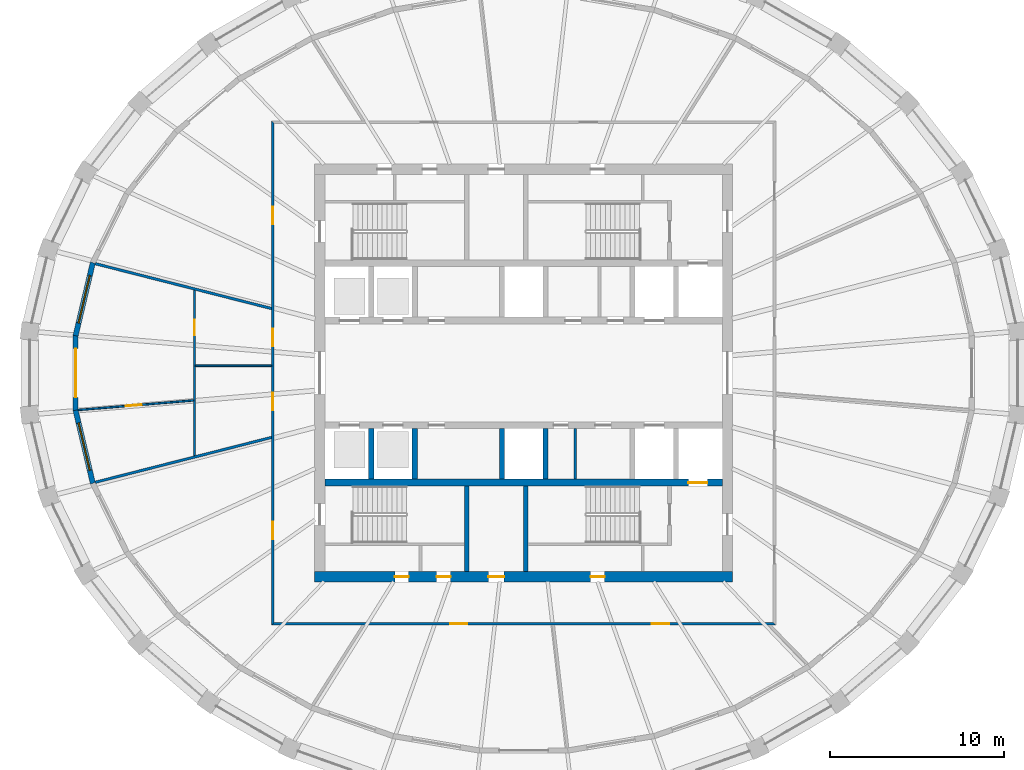
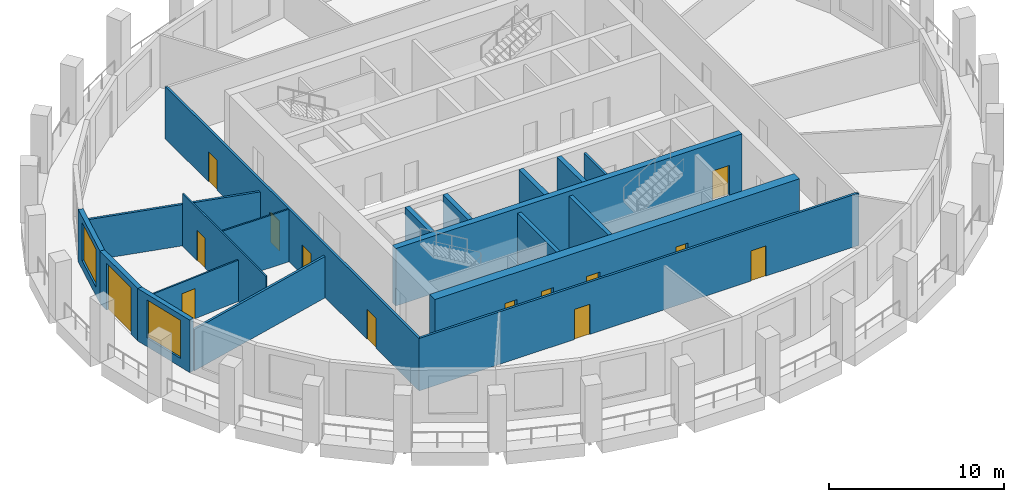
# One storey, part 3 of 10: 19 walls, 14 doors, 2 windows, 16 openings.
"""IFC4 building model written with IfcOpenShell, lengths in metres."""

from ifc_helpers import new_model, si_unit, direction, frame, frame_2d, origin, place, context, subcontext, project, spatial, polyline, rectangle, outline, extrude, material, layer, layer_set, type_object, element, fill, save


model = new_model("IFC4")

# Units and contexts
model_context = context("Model", 3, precision=1e-05, world=origin(), true_north=direction((0.0, 1.0)))
body_context = subcontext(model_context, "Body", "Model", "MODEL_VIEW")
ifc_project = project(units=[si_unit("LENGTHUNIT", "METRE"), si_unit("AREAUNIT", "SQUARE_METRE"), si_unit("VOLUMEUNIT", "CUBIC_METRE"), si_unit("PLANEANGLEUNIT", "RADIAN"), si_unit("MASSUNIT", "GRAM", prefix="KILO")], contexts=[model_context])

# Site, building, storey
site_placement = place(None, origin())
site = spatial("IfcSite", under=ifc_project, at=site_placement, CompositionType="ELEMENT")
building_placement = place(site_placement, origin())
building = spatial("IfcBuilding", under=site, at=building_placement, Name="Halqa Exchange Tower", CompositionType="ELEMENT")
storey_placement = place(building_placement, frame((0.0, 0.0, 324.300048828125)))
storey = spatial("IfcBuildingStorey", under=building, at=storey_placement, Name="L76", CompositionType="ELEMENT", Elevation=324.300048828125)

# Walls
ifc_material_1 = material(Name="Fire-rated gypsum board")
ifc_layer_1 = layer(ifc_material_1, 0.14990234375)
ifc_layer_set_1 = layer_set([ifc_layer_1], Name="Fire-rated gypsum board")
wall_type_1 = type_object("IfcWallType", Name="Fire partition EI 60 150", PredefinedType="PARTITIONING", material=ifc_layer_set_1)
wall_1_placement = place(storey_placement, frame((-24.5927734375, -6.274658203125, 0.0), z_axis=(0.0, 0.0, 1.0), x_axis=(0.969091390687, 0.246701999378, 0.0)))
element("IfcWall", 1, at=wall_1_placement, inside=storey, type_object=wall_type_1, Name="L76-PWL-001", PredefinedType="PARTITIONING", context=body_context, shape_type="SweptSolid", body=[
    extrude(outline(polyline([(0.013427734375, -0.074951171875), (1.748291015625, -0.074951171875), (3.48291015625, -0.074951171875), (5.217529296875, -0.074951171875), (6.9521484375, -0.074951171875), (8.686767578125, -0.074951171875), (10.42138671875, -0.074951171875), (10.459228515625, 0.07373046875), (10.459228515625, 0.074951171875), (8.95458984375, 0.074951171875), (7.44970703125, 0.074951171875), (5.945068359375, 0.074951171875), (5.944580078125, 0.072998046875), (5.9365234375, 0.074951171875), (3.95751953125, 0.074951171875), (1.978759765625, 0.074951171875), (0.0, 0.074951171875), (0.0, -0.010986328125), (0.013427734375, -0.074951171875)])), origin(), (0.0, 0.0, 1.0), 2.8798828125),
])
wall_2_placement = place(storey_placement, frame((-24.5927734375, 6.274658203125, 0.0), z_axis=(0.0, 0.0, 1.0), x_axis=(0.969091390687, -0.246701999378, 0.0)))
element("IfcWall", 2, at=wall_2_placement, inside=storey, type_object=wall_type_1, Name="L76-PWL-002", PredefinedType="PARTITIONING", context=body_context, shape_type="SweptSolid", body=[
    extrude(outline(polyline([(0.0, -0.074951171875), (1.978759765625, -0.074951171875), (3.95751953125, -0.074951171875), (5.9365234375, -0.074951171875), (5.944580078125, -0.072998046875), (5.945068359375, -0.074951171875), (7.44970703125, -0.074951171875), (8.95458984375, -0.074951171875), (10.459228515625, -0.074951171875), (10.459228515625, -0.07373046875), (10.42138671875, 0.074951171875), (8.686767578125, 0.074951171875), (6.9521484375, 0.074951171875), (5.217529296875, 0.074951171875), (3.48291015625, 0.074951171875), (1.748291015625, 0.074951171875), (0.013427734375, 0.074951171875), (0.0, 0.010986328125), (0.0, -0.074951171875)])), origin(), (0.0, 0.0, 1.0), 2.8798828125),
])

# Wall, openings, doors
wall_3_placement = place(storey_placement, frame((-14.39990234375, -14.47509765625, 0.0), z_axis=(0.0, 0.0, 1.0), x_axis=(0.0, 1.0, 0.0)))
wall_3 = element("IfcWall", 3, at=wall_3_placement, inside=storey, type_object=wall_type_1, Name="L76-PWL-006", PredefinedType="PARTITIONING", context=body_context, shape_type="SweptSolid", body=[
    extrude(outline(polyline([(0.150146484375, -0.074951171875), (2.06005859375, -0.074951171875), (3.97021484375, -0.074951171875), (5.880126953125, -0.074951171875), (7.7900390625, -0.074951171875), (9.7001953125, -0.074951171875), (11.610107421875, -0.074951171875), (13.52001953125, -0.074951171875), (15.43017578125, -0.074951171875), (17.340087890625, -0.074951171875), (19.25, -0.074951171875), (21.16015625, -0.074951171875), (23.070068359375, -0.074951171875), (24.97998046875, -0.074951171875), (26.89013671875, -0.074951171875), (28.800048828125, -0.074951171875), (28.949951171875, 0.074951171875), (27.02001953125, 0.074951171875), (25.090087890625, 0.074951171875), (23.159912109375, 0.074951171875), (21.22998046875, 0.074951171875), (19.300048828125, 0.074951171875), (17.3701171875, 0.074951171875), (15.440185546875, 0.074951171875), (13.510009765625, 0.074951171875), (11.580078125, 0.074951171875), (9.650146484375, 0.074951171875), (7.72021484375, 0.074951171875), (5.790283203125, 0.074951171875), (3.860107421875, 0.074951171875), (1.93017578125, 0.074951171875), (0.000244140625, 0.074951171875), (0.150146484375, -0.074951171875)])), origin(), (0.0, 0.0, 1.0), 3.64990234375),
])
opening_1_placement = place(wall_3_placement, frame((23.014892578125, 0.0, 0.0)))
opening_1 = element("IfcOpeningElement", 4, at=opening_1_placement, cuts=wall_3, Name="Opening 23-04", PredefinedType="OPENING", context=body_context, shape_type="SweptSolid", body=[
    extrude(rectangle(XDim=1.0, YDim=2.10009765625, at=frame_2d((0.5, 1.050048828125))), frame((0.0, 0.0869140625, 0.0), z_axis=(0.0, -1.0, 0.0), x_axis=(1.0, 0.0, 0.0)), (0.0, 0.0, 1.0), 0.173828125),
])
opening_2_placement = place(wall_3_placement, frame((12.340087890625, 0.0, 0.0)))
opening_2 = element("IfcOpeningElement", 5, at=opening_2_placement, cuts=wall_3, Name="Opening 23-05", PredefinedType="OPENING", context=body_context, shape_type="SweptSolid", body=[
    extrude(rectangle(XDim=1.0, YDim=2.10009765625, at=frame_2d((0.5, 1.050048828125))), frame((0.0, 0.0869140625, 0.0), z_axis=(0.0, -1.0, 0.0), x_axis=(1.0, 0.0, 0.0)), (0.0, 0.0, 1.0), 0.173828125),
])
opening_3_placement = place(wall_3_placement, frame((16.02001953125, 0.0, 0.0)))
opening_3 = element("IfcOpeningElement", 6, at=opening_3_placement, cuts=wall_3, Name="Opening 23-06", PredefinedType="OPENING", context=body_context, shape_type="SweptSolid", body=[
    extrude(rectangle(XDim=1.0, YDim=2.10009765625, at=frame_2d((0.5, 1.050048828125))), frame((0.0, 0.0869140625, 0.0), z_axis=(0.0, -1.0, 0.0), x_axis=(1.0, 0.0, 0.0)), (0.0, 0.0, 1.0), 0.173828125),
])
opening_4_placement = place(wall_3_placement, frame((4.93505859375, 0.0, 0.0)))
opening_4 = element("IfcOpeningElement", 7, at=opening_4_placement, cuts=wall_3, Name="Opening 23-07", PredefinedType="OPENING", context=body_context, shape_type="SweptSolid", body=[
    extrude(rectangle(XDim=1.0, YDim=2.10009765625, at=frame_2d((0.5, 1.050048828125))), frame((0.0, 0.0869140625, 0.0), z_axis=(0.0, -1.0, 0.0), x_axis=(1.0, 0.0, 0.0)), (0.0, 0.0, 1.0), 0.173828125),
])
ifc_material_2 = material(Name="Steel fire door leaf", Category="steel")
door_type_1 = type_object("IfcDoorType", Name="Fire door FD30S 1000 x 2100", OperationType="SINGLE_SWING_LEFT", PredefinedType="DOOR", material=ifc_material_2)
door_1_placement = place(opening_1_placement, origin())
door_1 = element("IfcDoor", 8, at=door_1_placement, inside=storey, type_object=door_type_1, Name="L76-IDR-004", OperationType="SINGLE_SWING_LEFT", OverallHeight=2.10009765625, OverallWidth=1.0, PredefinedType="DOOR", context=body_context, shape_type="SweptSolid", body=[
    extrude(rectangle(XDim=1.0, YDim=2.10009765625, at=frame_2d((0.5, 1.050048828125))), frame((0.0, 0.02490234375, 0.0), z_axis=(0.0, -1.0, 0.0), x_axis=(1.0, 0.0, 0.0)), (0.0, 0.0, 1.0), 0.050048828125),
])
fill(opening_1, door_1)
door_2_placement = place(opening_2_placement, origin())
door_2 = element("IfcDoor", 9, at=door_2_placement, inside=storey, type_object=door_type_1, Name="L76-IDR-005", OperationType="SINGLE_SWING_LEFT", OverallHeight=2.10009765625, OverallWidth=1.0, PredefinedType="DOOR", context=body_context, shape_type="SweptSolid", body=[
    extrude(rectangle(XDim=1.0, YDim=2.10009765625, at=frame_2d((0.5, 1.050048828125))), frame((0.0, 0.02490234375, 0.0), z_axis=(0.0, -1.0, 0.0), x_axis=(1.0, 0.0, 0.0)), (0.0, 0.0, 1.0), 0.050048828125),
])
fill(opening_2, door_2)
door_3_placement = place(opening_3_placement, origin())
door_3 = element("IfcDoor", 10, at=door_3_placement, inside=storey, type_object=door_type_1, Name="L76-IDR-006", OperationType="SINGLE_SWING_LEFT", OverallHeight=2.10009765625, OverallWidth=1.0, PredefinedType="DOOR", context=body_context, shape_type="SweptSolid", body=[
    extrude(rectangle(XDim=1.0, YDim=2.10009765625, at=frame_2d((0.5, 1.050048828125))), frame((0.0, 0.02490234375, 0.0), z_axis=(0.0, -1.0, 0.0), x_axis=(1.0, 0.0, 0.0)), (0.0, 0.0, 1.0), 0.050048828125),
])
fill(opening_3, door_3)
door_4_placement = place(opening_4_placement, origin())
door_4 = element("IfcDoor", 11, at=door_4_placement, inside=storey, type_object=door_type_1, Name="L76-IDR-007", OperationType="SINGLE_SWING_LEFT", OverallHeight=2.10009765625, OverallWidth=1.0, PredefinedType="DOOR", context=body_context, shape_type="SweptSolid", body=[
    extrude(rectangle(XDim=1.0, YDim=2.10009765625, at=frame_2d((0.5, 1.050048828125))), frame((0.0, 0.02490234375, 0.0), z_axis=(0.0, -1.0, 0.0), x_axis=(1.0, 0.0, 0.0)), (0.0, 0.0, 1.0), 0.050048828125),
])
fill(opening_4, door_4)

wall_4_placement = place(storey_placement, frame((-14.47509765625, -14.39990234375, 0.0), z_axis=(0.0, 0.0, 1.0), x_axis=(1.0, 0.0, 0.0)))
wall_4 = element("IfcWall", 12, at=wall_4_placement, inside=storey, type_object=wall_type_1, Name="L76-PWL-007", PredefinedType="PARTITIONING", context=body_context, shape_type="SweptSolid", body=[
    extrude(outline(polyline([(0.000244140625, -0.074951171875), (1.93017578125, -0.074951171875), (3.860107421875, -0.074951171875), (5.790283203125, -0.074951171875), (7.72021484375, -0.074951171875), (9.650146484375, -0.074951171875), (11.580078125, -0.074951171875), (13.510009765625, -0.074951171875), (15.440185546875, -0.074951171875), (17.3701171875, -0.074951171875), (19.300048828125, -0.074951171875), (21.22998046875, -0.074951171875), (23.159912109375, -0.074951171875), (25.090087890625, -0.074951171875), (27.02001953125, -0.074951171875), (28.949951171875, -0.074951171875), (28.800048828125, 0.074951171875), (26.89013671875, 0.074951171875), (24.97998046875, 0.074951171875), (23.070068359375, 0.074951171875), (21.16015625, 0.074951171875), (19.25, 0.074951171875), (17.340087890625, 0.074951171875), (15.43017578125, 0.074951171875), (13.52001953125, 0.074951171875), (11.610107421875, 0.074951171875), (9.7001953125, 0.074951171875), (7.7900390625, 0.074951171875), (5.880126953125, 0.074951171875), (3.97021484375, 0.074951171875), (2.06005859375, 0.074951171875), (0.150146484375, 0.074951171875), (0.000244140625, -0.074951171875)])), origin(), (0.0, 0.0, 1.0), 3.64990234375),
])
opening_5_placement = place(wall_4_placement, frame((10.2451171875, 0.0, 0.0)))
opening_5 = element("IfcOpeningElement", 13, at=opening_5_placement, cuts=wall_4, Name="Opening 23-08", PredefinedType="OPENING", context=body_context, shape_type="SweptSolid", body=[
    extrude(rectangle(XDim=1.0, YDim=2.10009765625, at=frame_2d((0.5, 1.050048828125))), frame((0.0, 0.0869140625, 0.0), z_axis=(0.0, -1.0, 0.0), x_axis=(1.0, 0.0, 0.0)), (0.0, 0.0, 1.0), 0.173828125),
])
opening_6_placement = place(wall_4_placement, frame((21.840087890625, 0.0, 0.0)))
opening_6 = element("IfcOpeningElement", 14, at=opening_6_placement, cuts=wall_4, Name="Opening 23-09", PredefinedType="OPENING", context=body_context, shape_type="SweptSolid", body=[
    extrude(rectangle(XDim=1.0, YDim=2.10009765625, at=frame_2d((0.5, 1.050048828125))), frame((0.0, 0.0869140625, 0.0), z_axis=(0.0, -1.0, 0.0), x_axis=(1.0, 0.0, 0.0)), (0.0, 0.0, 1.0), 0.173828125),
])
door_5_placement = place(opening_5_placement, frame((1.0, 0.0, 0.0), z_axis=(0.0, 0.0, 1.0), x_axis=(-1.0, 0.0, 0.0)))
door_5 = element("IfcDoor", 15, at=door_5_placement, inside=storey, type_object=door_type_1, Name="L76-IDR-008", OperationType="SINGLE_SWING_LEFT", OverallHeight=2.10009765625, OverallWidth=1.0, PredefinedType="DOOR", context=body_context, shape_type="SweptSolid", body=[
    extrude(rectangle(XDim=1.0, YDim=2.10009765625, at=frame_2d((0.5, 1.050048828125))), frame((0.0, 0.02490234375, 0.0), z_axis=(0.0, -1.0, 0.0), x_axis=(1.0, 0.0, 0.0)), (0.0, 0.0, 1.0), 0.050048828125),
])
fill(opening_5, door_5)
door_6_placement = place(opening_6_placement, frame((1.0, 0.0, 0.0), z_axis=(0.0, 0.0, 1.0), x_axis=(-1.0, 0.0, 0.0)))
door_6 = element("IfcDoor", 16, at=door_6_placement, inside=storey, type_object=door_type_1, Name="L76-IDR-009", OperationType="SINGLE_SWING_LEFT", OverallHeight=2.10009765625, OverallWidth=1.0, PredefinedType="DOOR", context=body_context, shape_type="SweptSolid", body=[
    extrude(rectangle(XDim=1.0, YDim=2.10009765625, at=frame_2d((0.5, 1.050048828125))), frame((0.0, 0.02490234375, 0.0), z_axis=(0.0, -1.0, 0.0), x_axis=(1.0, 0.0, 0.0)), (0.0, 0.0, 1.0), 0.050048828125),
])
fill(opening_6, door_6)

# Wall, opening, door
ifc_material_3 = material(Name="Gypsum board")
ifc_layer_2 = layer(ifc_material_3, 0.10009765625)
ifc_layer_set_2 = layer_set([ifc_layer_2], Name="Gypsum board")
wall_type_2 = type_object("IfcWallType", Name="Partition 100 gypsum", PredefinedType="PARTITIONING", material=ifc_layer_set_2)
wall_5_placement = place(storey_placement, frame((-18.89990234375, -4.760498046875, 0.0), z_axis=(0.0, 0.0, 1.0), x_axis=(0.0, 1.0, 0.0)))
wall_5 = element("IfcWall", 17, at=wall_5_placement, inside=storey, type_object=wall_type_2, Name="L76-PWL-003", PredefinedType="PARTITIONING", context=body_context, shape_type="SweptSolid", body=[
    extrude(outline(polyline([(0.025146484375, -0.050048828125), (1.7236328125, -0.050048828125), (3.422119140625, -0.050048828125), (5.12060546875, -0.050048828125), (5.12060546875, -0.0498046875), (5.220458984375, -0.0498046875), (5.220458984375, -0.050048828125), (6.6455078125, -0.050048828125), (8.07080078125, -0.050048828125), (9.495849609375, -0.050048828125), (9.52099609375, 0.048828125), (9.52099609375, 0.050048828125), (7.61669921875, 0.050048828125), (5.712646484375, 0.050048828125), (3.808349609375, 0.050048828125), (1.904296875, 0.050048828125), (0.0, 0.050048828125), (0.0, 0.048828125), (0.025146484375, -0.050048828125)])), origin(), (0.0, 0.0, 1.0), 3.64990234375),
])
opening_7_placement = place(wall_5_placement, frame((6.930419921875, 0.0, 0.0)))
opening_7 = element("IfcOpeningElement", 18, at=opening_7_placement, cuts=wall_5, Name="Opening 23-13", PredefinedType="OPENING", context=body_context, shape_type="SweptSolid", body=[
    extrude(rectangle(XDim=0.89990234375, YDim=2.10009765625, at=frame_2d((0.449951171875, 1.050048828125))), frame((0.0, 0.06201171875, 0.0), z_axis=(0.0, -1.0, 0.0), x_axis=(1.0, 0.0, 0.0)), (0.0, 0.0, 1.0), 0.1240234375),
])
ifc_material_4 = material(Name="Timber door leaf", Category="wood")
door_type_2 = type_object("IfcDoorType", Name="Door 900 x 2100", OperationType="SINGLE_SWING_LEFT", PredefinedType="DOOR", material=ifc_material_4)
door_7_placement = place(opening_7_placement, frame((0.89990234375, 0.0, 0.0), z_axis=(0.0, 0.0, 1.0), x_axis=(-1.0, 0.0, 0.0)))
door_7 = element("IfcDoor", 19, at=door_7_placement, inside=storey, type_object=door_type_2, Name="L76-IDR-013", OperationType="SINGLE_SWING_RIGHT", OverallHeight=2.10009765625, OverallWidth=0.89990234375, PredefinedType="DOOR", context=body_context, shape_type="SweptSolid", body=[
    extrude(rectangle(XDim=0.89990234375, YDim=2.10009765625, at=frame_2d((0.449951171875, 1.050048828125))), frame((0.0, 0.02490234375, 0.0), z_axis=(0.0, -1.0, 0.0), x_axis=(1.0, 0.0, 0.0)), (0.0, 0.0, 1.0), 0.050048828125),
])
fill(opening_7, door_7)

wall_6_placement = place(storey_placement, frame((-18.9462890625, -1.573974609375, 0.0), z_axis=(0.0, 0.0, 1.0), x_axis=(-0.996565232205, -0.082811460317, 0.0)))
wall_6 = element("IfcWall", 20, at=wall_6_placement, inside=storey, type_object=wall_type_2, Name="L76-PWL-004", PredefinedType="PARTITIONING", context=body_context, shape_type="SweptSolid", body=[
    extrude(outline(polyline([(6.648193359375, -0.050048828125), (6.648193359375, 0.022705078125), (6.64404296875, 0.050048828125), (4.985107421875, 0.050048828125), (3.325927734375, 0.050048828125), (1.6669921875, 0.050048828125), (0.0078125, 0.050048828125), (0.0, -0.044921875), (0.0, -0.050048828125), (1.662109375, -0.050048828125), (3.32421875, -0.050048828125), (4.986083984375, -0.050048828125), (6.648193359375, -0.050048828125)])), origin(), (0.0, 0.0, 1.0), 2.8798828125),
])
opening_8_placement = place(wall_6_placement, frame((3.005615234375, 0.0, 0.0)))
opening_8 = element("IfcOpeningElement", 21, at=opening_8_placement, cuts=wall_6, Name="Opening 23-14", PredefinedType="OPENING", context=body_context, shape_type="SweptSolid", body=[
    extrude(rectangle(XDim=0.89990234375, YDim=2.10009765625, at=frame_2d((0.449951171875, 1.050048828125))), frame((0.0, 0.06201171875, 0.0), z_axis=(0.0, -1.0, 0.0), x_axis=(1.0, 0.0, 0.0)), (0.0, 0.0, 1.0), 0.1240234375),
])
door_8_placement = place(opening_8_placement, origin())
door_8 = element("IfcDoor", 22, at=door_8_placement, inside=storey, type_object=door_type_2, Name="L76-IDR-014", OperationType="SINGLE_SWING_LEFT", OverallHeight=2.10009765625, OverallWidth=0.89990234375, PredefinedType="DOOR", context=body_context, shape_type="SweptSolid", body=[
    extrude(rectangle(XDim=0.89990234375, YDim=2.10009765625, at=frame_2d((0.449951171875, 1.050048828125))), frame((0.0, 0.02490234375, 0.0), z_axis=(0.0, -1.0, 0.0), x_axis=(1.0, 0.0, 0.0)), (0.0, 0.0, 1.0), 0.050048828125),
])
fill(opening_8, door_8)

# Walls
wall_7_placement = place(storey_placement, frame((-18.85009765625, 0.409912109375, 0.0), z_axis=(0.0, 0.0, 1.0), x_axis=(1.0, 0.0, 0.0)))
element("IfcWall", 23, at=wall_7_placement, inside=storey, type_object=wall_type_2, Name="L76-PWL-005", PredefinedType="PARTITIONING", context=body_context, shape_type="SweptSolid", body=[
    extrude(rectangle(XDim=4.375, YDim=0.10009765625, at=frame_2d((2.1875, 0.0))), origin(), (0.0, 0.0, 1.0), 3.64990234375),
])
ifc_layer_3 = layer(ifc_material_3, 0.14990234375)
ifc_layer_set_3 = layer_set([ifc_layer_3], Name="Gypsum board")
wall_type_3 = type_object("IfcWallType", Name="Penthouse riser wall 150 gypsum", PredefinedType="PARTITIONING", material=ifc_layer_set_3)
wall_8_placement = place(storey_placement, frame((2.949951171875, -6.10009765625, 0.0), z_axis=(0.0, 0.0, 1.0), x_axis=(0.0, 1.0, 0.0)))
element("IfcWall", 24, at=wall_8_placement, inside=storey, type_object=wall_type_3, Name="Freed bay partition SE2.950", PredefinedType="PARTITIONING", context=body_context, shape_type="SweptSolid", body=[
    extrude(rectangle(XDim=2.900146484375, YDim=0.14990234375, at=frame_2d((1.4501953125, 0.0))), origin(), (0.0, 0.0, 1.0), 3.64990234375),
])
ifc_material_5 = material(Name="Concrete C60/75", Category="concrete")
ifc_layer_4 = layer(ifc_material_5, 0.300048828125)
ifc_layer_set_4 = layer_set([ifc_layer_4], Name="Concrete C60/75")
wall_type_4 = type_object("IfcWallType", Name="RC core wall 300", PredefinedType="SHEAR", material=ifc_layer_set_4)
for number, where, z_axis, x_axis, name in (
    (25, (-8.75, -6.10009765625, 0.0), (0.0, 0.0, 1.0), (0.0, 1.0, 0.0), "Shaft divider S1"),
    (26, (-6.25, -6.10009765625, 0.0), (0.0, 0.0, 1.0), (0.0, 1.0, 0.0), "Shaft divider S2"),
    (27, (-1.25, -6.10009765625, 0.0), (0.0, 0.0, 1.0), (0.0, 1.0, 0.0), "Shaft divider S4"),
    (28, (1.25, -6.10009765625, 0.0), (0.0, 0.0, 1.0), (0.0, 1.0, 0.0), "Shaft divider S5"),
):
    element("IfcWall", number, at=place(storey_placement, frame(where, z_axis=z_axis, x_axis=x_axis)), inside=storey, type_object=wall_type_4, Name=name, PredefinedType="SHEAR", context=body_context, shape_type="SweptSolid", body=[
        extrude(rectangle(XDim=2.900146484375, YDim=0.300048828125, at=frame_2d((1.4501953125, 0.0))), origin(), (0.0, 0.0, 1.0), 4.0),
    ])

# Wall, opening, door
ifc_layer_5 = layer(ifc_material_5, 0.39990234375)
ifc_layer_set_5 = layer_set([ifc_layer_5], Name="Concrete C60/75")
wall_type_5 = type_object("IfcWallType", Name="RC core wall 400 C60/75", PredefinedType="SHEAR", material=ifc_layer_set_5)
wall_9_placement = place(storey_placement, frame((-11.39990234375, -6.300048828125, 0.0), z_axis=(0.0, 0.0, 1.0), x_axis=(1.0, 0.0, 0.0)))
wall_9 = element("IfcWall", 29, at=wall_9_placement, inside=storey, type_object=wall_type_5, Name="Lift row back wall S", PredefinedType="SHEAR", context=body_context, shape_type="SweptSolid", body=[
    extrude(rectangle(XDim=22.7998046875, YDim=0.39990234375, at=frame_2d((11.39990234375, 0.0))), origin(), (0.0, 0.0, 1.0), 4.0),
])
opening_9_placement = place(wall_9_placement, frame((20.85009765625, 0.0, 0.0)))
opening_9 = element("IfcOpeningElement", 30, at=opening_9_placement, cuts=wall_9, Name="Opening LD-FF2-T23", PredefinedType="OPENING", context=body_context, shape_type="SweptSolid", body=[
    extrude(rectangle(XDim=1.10009765625, YDim=2.10009765625, at=frame_2d((0.550048828125, 1.050048828125))), frame((0.0, 0.2119140625, 0.0), z_axis=(0.0, -1.0, 0.0), x_axis=(1.0, 0.0, 0.0)), (0.0, 0.0, 1.0), 0.423828125),
])
ifc_material_6 = material(Name="Stainless steel", Category="steel")
door_type_3 = type_object("IfcDoorType", Name="Lift landing door 1100 x 2100", OperationType="SLIDING_TO_LEFT", PredefinedType="DOOR", material=ifc_material_6)
door_9_placement = place(opening_9_placement, origin())
door_9 = element("IfcDoor", 31, at=door_9_placement, inside=storey, type_object=door_type_3, Name="Lift landing door FF2", OperationType="SLIDING_TO_LEFT", OverallHeight=2.10009765625, OverallWidth=1.10009765625, PredefinedType="DOOR", context=body_context, shape_type="SweptSolid", body=[
    extrude(rectangle(XDim=1.10009765625, YDim=2.10009765625, at=frame_2d((0.550048828125, 1.050048828125))), frame((0.0, 0.02490234375, 0.0), z_axis=(0.0, -1.0, 0.0), x_axis=(1.0, 0.0, 0.0)), (0.0, 0.0, 1.0), 0.050048828125),
])
fill(opening_9, door_9)

# Wall, openings, doors
ifc_layer_6 = layer(ifc_material_5, 0.60009765625)
ifc_layer_set_6 = layer_set([ifc_layer_6], Name="Concrete C60/75")
wall_type_6 = type_object("IfcWallType", Name="RC core wall 600 C60/75", PredefinedType="SHEAR", material=ifc_layer_set_6)
wall_10_placement = place(storey_placement, frame((-12.0, -11.699951171875, 0.0), z_axis=(0.0, 0.0, 1.0), x_axis=(1.0, 0.0, 0.0)))
wall_10 = element("IfcWall", 32, at=wall_10_placement, inside=storey, type_object=wall_type_6, Name="Core wall south", PredefinedType="SHEAR", context=body_context, shape_type="SweptSolid", body=[
    extrude(rectangle(XDim=24.0, YDim=0.60009765625, at=frame_2d((12.0, 0.0))), origin(), (0.0, 0.0, 1.0), 4.0),
])
opening_10_placement = place(wall_10_placement, frame((9.97509765625, 0.0, 0.0)))
opening_10 = element("IfcOpeningElement", 33, at=opening_10_placement, cuts=wall_10, Name="Opening T23-C21", PredefinedType="OPENING", context=body_context, shape_type="SweptSolid", body=[
    extrude(rectangle(XDim=0.89990234375, YDim=2.10009765625, at=frame_2d((0.449951171875, 1.050048828125))), frame((0.0, 0.31201171875, 0.0), z_axis=(0.0, -1.0, 0.0), x_axis=(1.0, 0.0, 0.0)), (0.0, 0.0, 1.0), 0.6240234375),
])
opening_11_placement = place(wall_10_placement, frame((4.60009765625, 0.0, 0.0)))
opening_11 = element("IfcOpeningElement", 34, at=opening_11_placement, cuts=wall_10, Name="Opening T23-C22", PredefinedType="OPENING", context=body_context, shape_type="SweptSolid", body=[
    extrude(rectangle(XDim=0.800048828125, YDim=2.10009765625, at=frame_2d((0.39990234375, 1.050048828125))), frame((0.0, 0.31201171875, 0.0), z_axis=(0.0, -1.0, 0.0), x_axis=(1.0, 0.0, 0.0)), (0.0, 0.0, 1.0), 0.6240234375),
])
opening_12_placement = place(wall_10_placement, frame((7.0, 0.0, 0.0)))
opening_12 = element("IfcOpeningElement", 35, at=opening_12_placement, cuts=wall_10, Name="Opening T23-C23", PredefinedType="OPENING", context=body_context, shape_type="SweptSolid", body=[
    extrude(rectangle(XDim=0.800048828125, YDim=2.10009765625, at=frame_2d((0.39990234375, 1.050048828125))), frame((0.0, 0.31201171875, 0.0), z_axis=(0.0, -1.0, 0.0), x_axis=(1.0, 0.0, 0.0)), (0.0, 0.0, 1.0), 0.6240234375),
])
opening_13_placement = place(wall_10_placement, frame((15.85009765625, 0.0, 0.0)))
opening_13 = element("IfcOpeningElement", 36, at=opening_13_placement, cuts=wall_10, Name="Opening T23-C24", PredefinedType="OPENING", context=body_context, shape_type="SweptSolid", body=[
    extrude(rectangle(XDim=0.800048828125, YDim=2.10009765625, at=frame_2d((0.39990234375, 1.050048828125))), frame((0.0, 0.31201171875, 0.0), z_axis=(0.0, -1.0, 0.0), x_axis=(1.0, 0.0, 0.0)), (0.0, 0.0, 1.0), 0.6240234375),
])
ifc_material_7 = material(Name="Timber fire door leaf", Category="wood")
door_type_4 = type_object("IfcDoorType", Name="Core room door FD30 900 x 2100", OperationType="SINGLE_SWING_LEFT", PredefinedType="DOOR", material=ifc_material_7)
door_10_placement = place(opening_10_placement, origin())
door_10 = element("IfcDoor", 37, at=door_10_placement, inside=storey, type_object=door_type_4, Name="Core room door", OperationType="SINGLE_SWING_LEFT", OverallHeight=2.10009765625, OverallWidth=0.89990234375, PredefinedType="DOOR", context=body_context, shape_type="SweptSolid", body=[
    extrude(rectangle(XDim=0.89990234375, YDim=2.10009765625, at=frame_2d((0.449951171875, 1.050048828125))), frame((0.0, 0.02490234375, 0.0), z_axis=(0.0, -1.0, 0.0), x_axis=(1.0, 0.0, 0.0)), (0.0, 0.0, 1.0), 0.050048828125),
])
fill(opening_10, door_10)
door_type_5 = type_object("IfcDoorType", Name="Riser door FD60 800 x 2100", OperationType="SINGLE_SWING_LEFT", PredefinedType="DOOR", material=ifc_material_2)
door_11_placement = place(opening_11_placement, origin())
door_11 = element("IfcDoor", 38, at=door_11_placement, inside=storey, type_object=door_type_5, Name="Core room door", OperationType="SINGLE_SWING_LEFT", OverallHeight=2.10009765625, OverallWidth=0.800048828125, PredefinedType="DOOR", context=body_context, shape_type="SweptSolid", body=[
    extrude(rectangle(XDim=0.800048828125, YDim=2.10009765625, at=frame_2d((0.39990234375, 1.050048828125))), frame((0.0, 0.02490234375, 0.0), z_axis=(0.0, -1.0, 0.0), x_axis=(1.0, 0.0, 0.0)), (0.0, 0.0, 1.0), 0.050048828125),
])
fill(opening_11, door_11)
door_12_placement = place(opening_12_placement, origin())
door_12 = element("IfcDoor", 39, at=door_12_placement, inside=storey, type_object=door_type_5, Name="Core room door", OperationType="SINGLE_SWING_LEFT", OverallHeight=2.10009765625, OverallWidth=0.800048828125, PredefinedType="DOOR", context=body_context, shape_type="SweptSolid", body=[
    extrude(rectangle(XDim=0.800048828125, YDim=2.10009765625, at=frame_2d((0.39990234375, 1.050048828125))), frame((0.0, 0.02490234375, 0.0), z_axis=(0.0, -1.0, 0.0), x_axis=(1.0, 0.0, 0.0)), (0.0, 0.0, 1.0), 0.050048828125),
])
fill(opening_12, door_12)
door_13_placement = place(opening_13_placement, origin())
door_13 = element("IfcDoor", 40, at=door_13_placement, inside=storey, type_object=door_type_5, Name="Core room door", OperationType="SINGLE_SWING_LEFT", OverallHeight=2.10009765625, OverallWidth=0.800048828125, PredefinedType="DOOR", context=body_context, shape_type="SweptSolid", body=[
    extrude(rectangle(XDim=0.800048828125, YDim=2.10009765625, at=frame_2d((0.39990234375, 1.050048828125))), frame((0.0, 0.02490234375, 0.0), z_axis=(0.0, -1.0, 0.0), x_axis=(1.0, 0.0, 0.0)), (0.0, 0.0, 1.0), 0.050048828125),
])
fill(opening_13, door_13)

# Walls
ifc_material_8 = material(Name="Concrete C30/37", Category="concrete")
ifc_layer_7 = layer(ifc_material_8, 0.25)
ifc_layer_set_7 = layer_set([ifc_layer_7], Name="Concrete C30/37")
wall_type_7 = type_object("IfcWallType", Name="RC stair wall 250 C30/37", PredefinedType="SHEAR", material=ifc_layer_set_7)
for number, where, z_axis, x_axis, name in (
    (41, (-3.27490234375, -11.39990234375, 0.0), (0.0, 0.0, 1.0), (0.0, 1.0, 0.0), "Stair ST1 east wall S"),
    (42, (0.125, -11.39990234375, 0.0), (0.0, 0.0, 1.0), (0.0, 1.0, 0.0), "Stair ST2 west wall S"),
):
    element("IfcWall", number, at=place(storey_placement, frame(where, z_axis=z_axis, x_axis=x_axis)), inside=storey, type_object=wall_type_7, Name=name, PredefinedType="SHEAR", context=body_context, shape_type="SweptSolid", body=[
        extrude(rectangle(XDim=4.89990234375, YDim=0.25, at=frame_2d((2.449951171875, 0.0))), origin(), (0.0, 0.0, 1.0), 3.64990234375),
    ])

# Wall, opening, window
ifc_material_9 = material(Name="Limestone cladding", Category="masonry")
ifc_layer_8 = layer(ifc_material_9, 0.0400390625)
ifc_material_10 = material(Name="Ventilated cavity")
ifc_layer_9 = layer(ifc_material_10, 0.030029296875, ventilated=True)
ifc_material_11 = material(Name="Mineral wool insulation")
ifc_layer_10 = layer(ifc_material_11, 0.10009765625)
ifc_layer_11 = layer(ifc_material_8, 0.10009765625)
ifc_material_12 = material(Name="Internal plaster")
ifc_layer_12 = layer(ifc_material_12, 0.030029296875)
ifc_layer_set_8 = layer_set([ifc_layer_8, ifc_layer_9, ifc_layer_10, ifc_layer_11, ifc_layer_12], Name="Stone-faced insulated wall 300")
wall_type_8 = type_object("IfcWallType", Name="Stone-faced insulated wall 300", PredefinedType="STANDARD", material=ifc_layer_set_8)
wall_11_placement = place(storey_placement, frame((-24.735595703125, 6.32958984375, 0.0), z_axis=(0.0, 0.0, 1.0), x_axis=(-0.229993247212, -0.97319222471, 0.0)))
wall_11 = element("IfcWall", 43, at=wall_11_placement, inside=storey, type_object=wall_type_8, Name="Glass-line wall 15", PredefinedType="STANDARD", context=body_context, shape_type="SweptSolid", body=[
    extrude(outline(polyline([(-0.01708984375, -0.14990234375), (4.3251953125, -0.14990234375), (4.2900390625, 0.14990234375), (0.01708984375, 0.14990234375), (-0.01708984375, -0.14990234375)])), origin(), (0.0, 0.0, 1.0), 3.64990234375),
])
opening_14_placement = place(wall_11_placement, frame((0.753662109375, 0.0, 0.60009765625)))
opening_14 = element("IfcOpeningElement", 44, at=opening_14_placement, cuts=wall_11, Name="Opening W-F4-15", PredefinedType="OPENING", context=body_context, shape_type="SweptSolid", body=[
    extrude(rectangle(XDim=2.800048828125, YDim=2.64990234375, at=frame_2d((1.39990234375, 1.324951171875))), frame((0.0, 0.162109375, 0.0), z_axis=(0.0, -1.0, 0.0), x_axis=(1.0, 0.0, 0.0)), (0.0, 0.0, 1.0), 0.323974609375),
])
ifc_material_13 = material(Name="Clear low-emissivity glass in aluminium frame", Category="aluminium")
window_type = type_object("IfcWindowType", Name="Fixed clear glazed window 2800 x 2650", PartitioningType="DOUBLE_PANEL_VERTICAL", PredefinedType="WINDOW", material=ifc_material_13)
window_1_placement = place(opening_14_placement, origin())
window_1 = element("IfcWindow", 45, at=window_1_placement, inside=storey, type_object=window_type, Name="Window 4", OverallHeight=2.64990234375, OverallWidth=2.800048828125, PartitioningType="DOUBLE_PANEL_VERTICAL", PredefinedType="WINDOW", context=body_context, shape_type="SweptSolid", body=[
    extrude(rectangle(XDim=2.800048828125, YDim=2.64990234375, at=frame_2d((1.39990234375, 1.324951171875))), frame((0.0, 0.030029296875, 0.0), z_axis=(0.0, -1.0, 0.0), x_axis=(1.0, 0.0, 0.0)), (0.0, 0.0, 1.0), 0.06005859375),
])
fill(opening_14, window_1)

# Wall, opening, door
wall_12_placement = place(storey_placement, frame((-25.726318359375, 2.137451171875, 0.0), z_axis=(0.0, 0.0, 1.0), x_axis=(0.0, -1.0, 0.0)))
wall_12 = element("IfcWall", 46, at=wall_12_placement, inside=storey, type_object=wall_type_8, Name="Glass-line wall 16", PredefinedType="STANDARD", context=body_context, shape_type="SweptSolid", body=[
    extrude(outline(polyline([(-0.017578125, -0.14990234375), (4.29248046875, -0.14990234375), (4.25732421875, 0.14990234375), (0.017578125, 0.14990234375), (-0.017578125, -0.14990234375)])), origin(), (0.0, 0.0, 1.0), 3.64990234375),
])
opening_15_placement = place(wall_12_placement, frame((0.737548828125, 0.0, 0.0)))
opening_15 = element("IfcOpeningElement", 47, at=opening_15_placement, cuts=wall_12, Name="Opening LG-F4-04", PredefinedType="OPENING", context=body_context, shape_type="SweptSolid", body=[
    extrude(rectangle(XDim=2.800048828125, YDim=3.25, at=frame_2d((1.39990234375, 1.625))), frame((0.0, 0.162109375, 0.0), z_axis=(0.0, -1.0, 0.0), x_axis=(1.0, 0.0, 0.0)), (0.0, 0.0, 1.0), 0.323974609375),
])
door_type_6 = type_object("IfcDoorType", Name="Glazed sliding loggia door 2800 x 3250", OperationType="DOUBLE_DOOR_SLIDING", PredefinedType="DOOR", material=ifc_material_13)
door_14_placement = place(opening_15_placement, origin())
door_14 = element("IfcDoor", 48, at=door_14_placement, inside=storey, type_object=door_type_6, Name="Loggia door 4", OperationType="DOUBLE_DOOR_SLIDING", OverallHeight=3.25, OverallWidth=2.800048828125, PredefinedType="DOOR", context=body_context, shape_type="SweptSolid", body=[
    extrude(rectangle(XDim=2.800048828125, YDim=3.25, at=frame_2d((1.39990234375, 1.625))), frame((0.0, 0.02490234375, 0.0), z_axis=(0.0, -1.0, 0.0), x_axis=(1.0, 0.0, 0.0)), (0.0, 0.0, 1.0), 0.050048828125),
])
fill(opening_15, door_14)

# Wall, opening, window
wall_13_placement = place(storey_placement, frame((-25.726318359375, -2.137451171875, 0.0), z_axis=(0.0, 0.0, 1.0), x_axis=(0.229993247212, -0.97319222471, 0.0)))
wall_13 = element("IfcWall", 49, at=wall_13_placement, inside=storey, type_object=wall_type_8, Name="Glass-line wall 17", PredefinedType="STANDARD", context=body_context, shape_type="SweptSolid", body=[
    extrude(outline(polyline([(-0.017578125, -0.14990234375), (4.32470703125, -0.14990234375), (4.29052734375, 0.14990234375), (0.017578125, 0.14990234375), (-0.017578125, -0.14990234375)])), origin(), (0.0, 0.0, 1.0), 3.64990234375),
])
opening_16_placement = place(wall_13_placement, frame((0.753662109375, 0.0, 0.60009765625)))
opening_16 = element("IfcOpeningElement", 50, at=opening_16_placement, cuts=wall_13, Name="Opening W-F4-17", PredefinedType="OPENING", context=body_context, shape_type="SweptSolid", body=[
    extrude(rectangle(XDim=2.800048828125, YDim=2.64990234375, at=frame_2d((1.39990234375, 1.324951171875))), frame((0.0, 0.162109375, 0.0), z_axis=(0.0, -1.0, 0.0), x_axis=(1.0, 0.0, 0.0)), (0.0, 0.0, 1.0), 0.323974609375),
])
window_2_placement = place(opening_16_placement, origin())
window_2 = element("IfcWindow", 51, at=window_2_placement, inside=storey, type_object=window_type, Name="Window 4", OverallHeight=2.64990234375, OverallWidth=2.800048828125, PartitioningType="DOUBLE_PANEL_VERTICAL", PredefinedType="WINDOW", context=body_context, shape_type="SweptSolid", body=[
    extrude(rectangle(XDim=2.800048828125, YDim=2.64990234375, at=frame_2d((1.39990234375, 1.324951171875))), frame((0.0, 0.030029296875, 0.0), z_axis=(0.0, -1.0, 0.0), x_axis=(1.0, 0.0, 0.0)), (0.0, 0.0, 1.0), 0.06005859375),
])
fill(opening_16, window_2)

save(model, "model.ifc")
